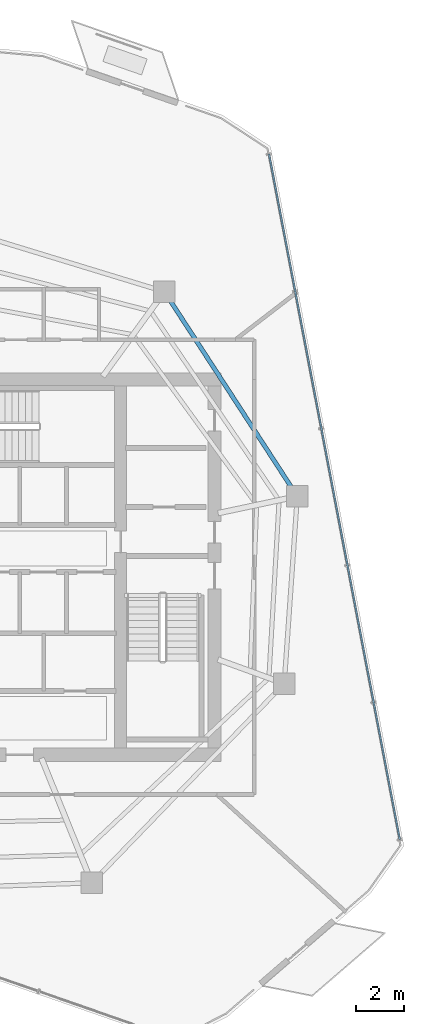
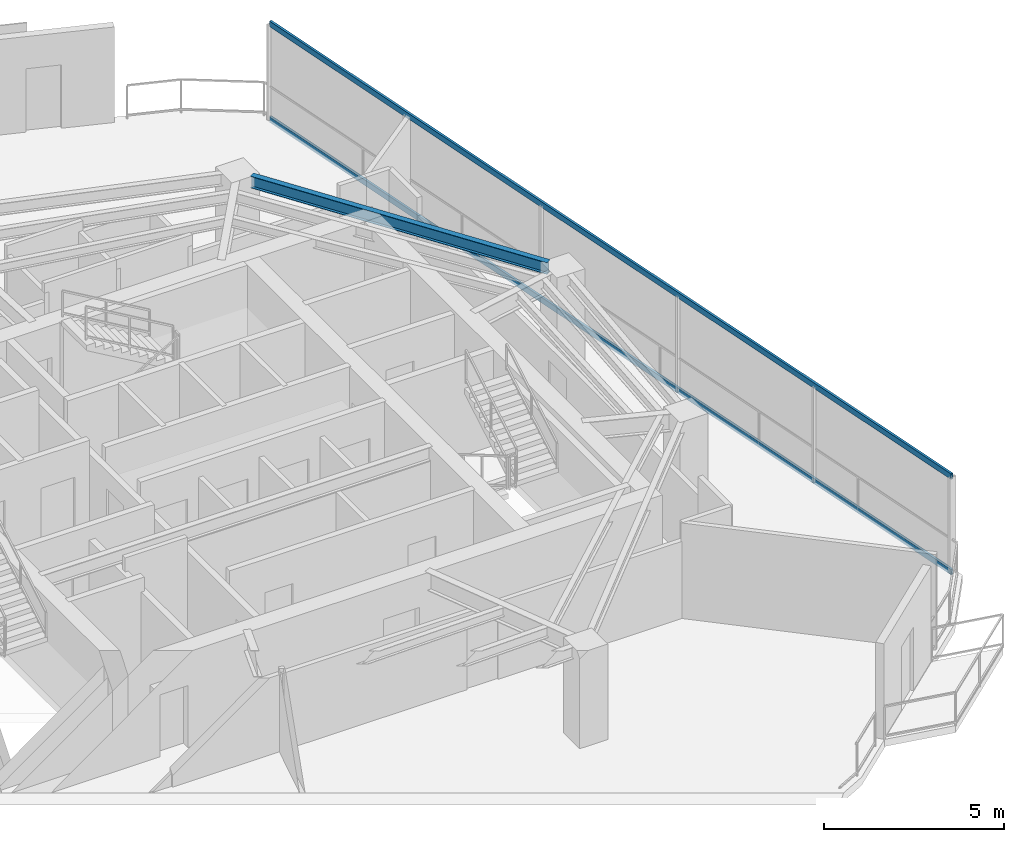
# One storey, part 10 of 18: 2 members, 1 beam, 1 element without a shape of its own.
"""IFC4 building model written with IfcOpenShell, lengths in metres."""

from ifc_helpers import new_model, si_unit, direction, frame, origin, origin_2d, place, context, subcontext, project, spatial, hollow_rectangle, i_section, extrude, material, layer, layer_set, material_profile, profile_set, type_object, element, aggregate, save


model = new_model("IFC4")

# Units and contexts
model_context = context("Model", 3, precision=1e-05, world=origin(), true_north=direction((0.0, 1.0)))
body_context = subcontext(model_context, "Body", "Model", "MODEL_VIEW")
ifc_project = project(units=[si_unit("LENGTHUNIT", "METRE"), si_unit("AREAUNIT", "SQUARE_METRE"), si_unit("VOLUMEUNIT", "CUBIC_METRE"), si_unit("PLANEANGLEUNIT", "RADIAN"), si_unit("MASSUNIT", "GRAM", prefix="KILO")], contexts=[model_context])

# Site, building, storey
site_placement = place(None, origin())
site = spatial("IfcSite", under=ifc_project, at=site_placement, CompositionType="ELEMENT")
building_placement = place(site_placement, origin())
building = spatial("IfcBuilding", under=site, at=building_placement, Name="Qarnah Convention Tower", CompositionType="ELEMENT")
storey_placement = place(building_placement, frame((0.0, 0.0, 220.199951171875)))
storey = spatial("IfcBuildingStorey", under=building, at=storey_placement, Name="L59", CompositionType="ELEMENT", Elevation=220.199951171875)

# Beam
ifc_material_1 = material(Name="Structural steel S355JR", Category="steel")
ifc_material_profile_1 = material_profile(ifc_material_1, i_section(OverallWidth=0.179931640625, OverallDepth=0.39990234375, WebThickness=0.009033203125, FlangeThickness=0.013916015625, at=origin_2d()), Name="IPE400")
ifc_profile_set_1 = profile_set([ifc_material_profile_1], Name="Structural steel S355JR")
beam_type = type_object("IfcBeamType", Name="BM-SPN-IPE400", PredefinedType="SPANDREL", material=ifc_profile_set_1)
beam_placement = place(storey_placement, frame((50.801025390625, 29.7109375, 3.0400390625), z_axis=(-0.544586178954, 0.838704890705, 0.0), x_axis=(-0.838704890705, -0.544586178954, 0.0)))
element("IfcBeam", 1, at=beam_placement, inside=storey, type_object=beam_type, Name="L59 spandrel BM-L59-SPN-01", PredefinedType="SPANDREL", context=body_context, shape_type="SweptSolid", body=[
    extrude(i_section(OverallWidth=0.179931640625, OverallDepth=0.39990234375, WebThickness=0.009033203125, FlangeThickness=0.013916015625, at=origin_2d()), origin(), (0.0, 0.0, 1.0), 9.261962890625),
])

# Curtain wall, members
ifc_material_2 = material(Name="Tempered Low-E dark glass", Category="glass")
ifc_layer = layer(ifc_material_2, 0.174072265625)
ifc_layer_set = layer_set([ifc_layer], Name="Tempered Low-E dark glass")
curtain_wall_type = type_object("IfcCurtainWallType", Name="CWS-04", PredefinedType="NOTDEFINED", material=ifc_layer_set)
curtain_wall_placement = place(storey_placement, origin())
curtain_wall = element("IfcCurtainWall", 2, at=curtain_wall_placement, inside=storey, type_object=curtain_wall_type, Name="L59 unitised curtain wall CW-L59-F3", PredefinedType="NOTDEFINED")
ifc_material_3 = material(Name="Black anodised aluminium", Category="aluminium")
ifc_material_profile_2 = material_profile(ifc_material_3, hollow_rectangle(XDim=0.074951171875, YDim=0.18994140625, WallThickness=0.0048828125, at=origin_2d()), Name="TRN-75X190")
ifc_profile_set_2 = profile_set([ifc_material_profile_2], Name="Black anodised aluminium")
member_type = type_object("IfcMemberType", Name="TRN-T4", PredefinedType="USERDEFINED", material=ifc_profile_set_2)
member_1_placement = place(storey_placement, frame((49.865966796875, 43.56201171875, 0.0), z_axis=(0.187410019854, -0.982281774471, 0.0), x_axis=(0.982281774471, 0.187410019854, 0.0)))
member_1 = element("IfcMember", 3, at=member_1_placement, type_object=member_type, Name="CW-L59-F3 transom 1", ObjectType="TRANSOM", PredefinedType="USERDEFINED", context=body_context, shape_type="SweptSolid", body=[
    extrude(hollow_rectangle(XDim=0.074951171875, YDim=0.18994140625, WallThickness=0.0048828125, at=origin_2d()), origin(), (0.0, 0.0, 1.0), 28.99560546875),
])
member_2_placement = place(storey_placement, frame((49.865966796875, 43.56201171875, 3.239990234375), z_axis=(0.187410019854, -0.982281774471, 0.0), x_axis=(0.982281774471, 0.187410019854, 0.0)))
member_2 = element("IfcMember", 4, at=member_2_placement, type_object=member_type, Name="CW-L59-F3 transom 2", ObjectType="TRANSOM", PredefinedType="USERDEFINED", context=body_context, shape_type="SweptSolid", body=[
    extrude(hollow_rectangle(XDim=0.074951171875, YDim=0.18994140625, WallThickness=0.0048828125, at=origin_2d()), origin(), (0.0, 0.0, 1.0), 28.99560546875),
])
aggregate(curtain_wall, [member_1, member_2])

save(model, "model.ifc")
